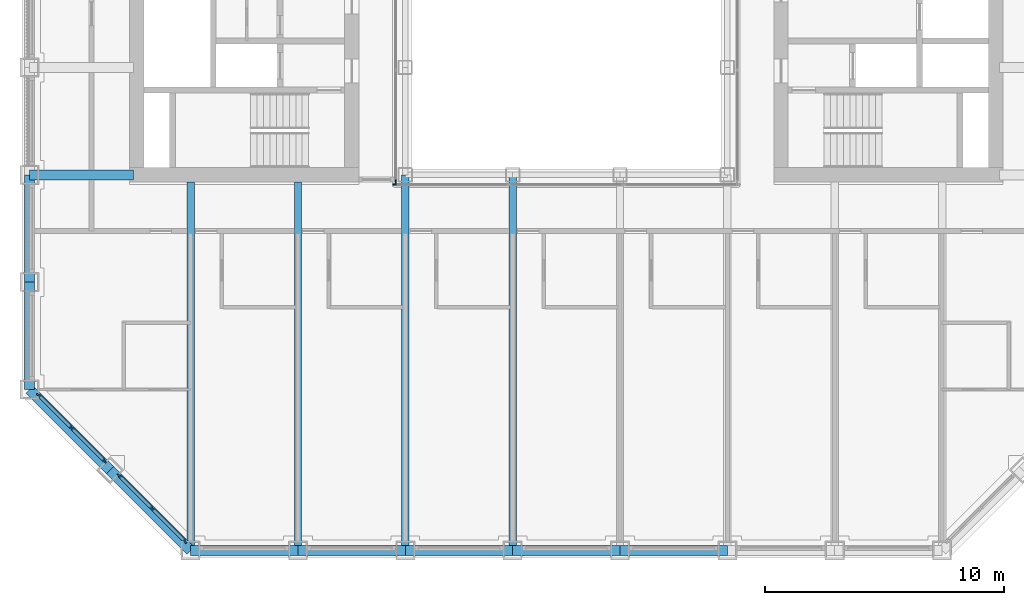
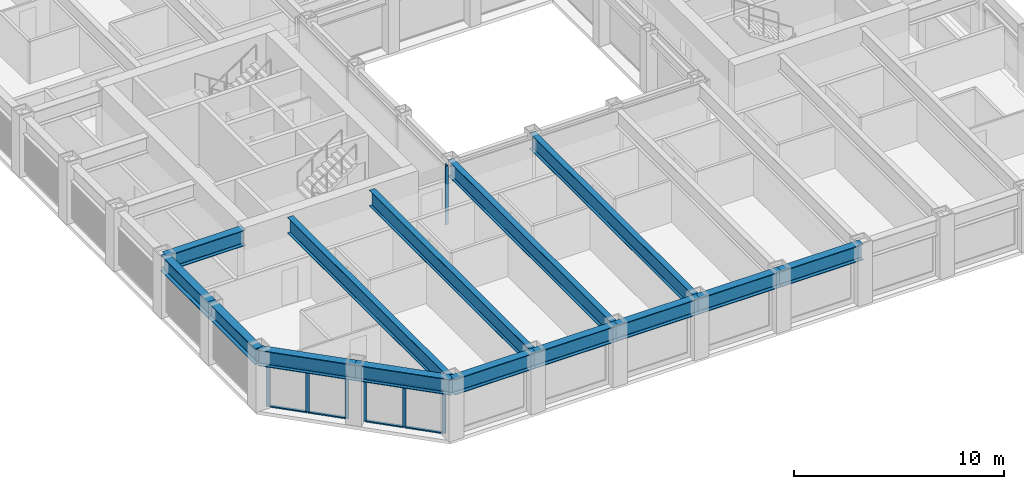
# One storey, part 2 of 18: 16 members, 14 beams, 4 elements without a shape of their own.
"""IFC4 building model written with IfcOpenShell, lengths in metres."""

from ifc_helpers import new_model, si_unit, direction, frame, origin, origin_2d, place, context, subcontext, project, spatial, rectangle, i_section, extrude, material, material_profile, profile_set, type_object, element, aggregate, save


model = new_model("IFC4")

# Units and contexts
model_context = context("Model", 3, precision=1e-05, world=origin(), true_north=direction((0.0, 1.0)))
body_context = subcontext(model_context, "Body", "Model", "MODEL_VIEW")
ifc_project = project(units=[si_unit("LENGTHUNIT", "METRE"), si_unit("AREAUNIT", "SQUARE_METRE"), si_unit("VOLUMEUNIT", "CUBIC_METRE"), si_unit("PLANEANGLEUNIT", "RADIAN"), si_unit("MASSUNIT", "GRAM", prefix="KILO")], contexts=[model_context])

# Site, building, storey
site_placement = place(None, origin())
site = spatial("IfcSite", under=ifc_project, at=site_placement, CompositionType="ELEMENT")
building_placement = place(site_placement, origin())
building = spatial("IfcBuilding", under=site, at=building_placement, Name="Msasa Ring Tower", CompositionType="ELEMENT")
storey_placement = place(building_placement, frame((0.0, 0.0, 118.39990234375)))
storey = spatial("IfcBuildingStorey", under=building, at=storey_placement, Name="L30", CompositionType="ELEMENT", Elevation=118.39990234375)

# Curtain wall, members
ifc_material_1 = material(Name="Aluminium curtain wall with clear glass", Category="aluminium")
curtain_wall_type_1 = type_object("IfcCurtainWallType", Name="CW-C CHAMFER CORNER CURTAIN WALL", PredefinedType="NOTDEFINED", material=ifc_material_1)
curtain_wall_1_placement = place(storey_placement, origin())
curtain_wall_1 = element("IfcCurtainWall", 1, at=curtain_wall_1_placement, inside=storey, type_object=curtain_wall_type_1, Name="Chamfer corner curtain wall SW L30", PredefinedType="NOTDEFINED")
ifc_material_2 = material(Name="Aluminium mullion", Category="aluminium")
ifc_material_profile_1 = material_profile(ifc_material_2, rectangle(XDim=0.06494140625, YDim=0.179931640625, at=origin_2d()), Name="AL 65x180")
ifc_profile_set_1 = profile_set([ifc_material_profile_1], Name="Aluminium mullion")
member_type_1 = type_object("IfcMemberType", Name="CW-C MULLION 65x180", PredefinedType="MULLION", material=ifc_profile_set_1)
member_1_placement = place(storey_placement, frame((-22.119873046875, -15.98876953125, 0.0), z_axis=(0.0, 0.0, 1.0), x_axis=(0.707106781187, 0.707106781187, 0.0)))
member_1 = element("IfcMember", 2, at=member_1_placement, type_object=member_type_1, Name="CW-C mullion 1", PredefinedType="MULLION", context=body_context, shape_type="SweptSolid", body=[
    extrude(rectangle(XDim=0.06494140625, YDim=0.179931640625, at=origin_2d()), origin(), (0.0, 0.0, 1.0), 2.47900390625),
])
member_2_placement = place(storey_placement, frame((-20.74169921875, -17.36669921875, 0.0), z_axis=(0.0, 0.0, 1.0), x_axis=(0.707106781187, 0.707106781187, 0.0)))
member_2 = element("IfcMember", 3, at=member_2_placement, type_object=member_type_1, Name="CW-C mullion 2", PredefinedType="MULLION", context=body_context, shape_type="SweptSolid", body=[
    extrude(rectangle(XDim=0.06494140625, YDim=0.179931640625, at=origin_2d()), origin(), (0.0, 0.0, 1.0), 2.47900390625),
])
member_3_placement = place(storey_placement, frame((-19.36376953125, -18.744873046875, 0.0), z_axis=(0.0, 0.0, 1.0), x_axis=(0.707106781187, 0.707106781187, 0.0)))
member_3 = element("IfcMember", 4, at=member_3_placement, type_object=member_type_1, Name="CW-C mullion 3", PredefinedType="MULLION", context=body_context, shape_type="SweptSolid", body=[
    extrude(rectangle(XDim=0.06494140625, YDim=0.179931640625, at=origin_2d()), origin(), (0.0, 0.0, 1.0), 2.47900390625),
])

curtain_wall_2_placement = place(storey_placement, origin())
curtain_wall_2 = element("IfcCurtainWall", 5, at=curtain_wall_2_placement, inside=storey, type_object=curtain_wall_type_1, Name="Chamfer corner curtain wall SW L30", PredefinedType="NOTDEFINED")
member_4_placement = place(storey_placement, frame((-18.744873046875, -19.36376953125, 0.0), z_axis=(0.0, 0.0, 1.0), x_axis=(0.707106781187, 0.707106781187, 0.0)))
member_4 = element("IfcMember", 6, at=member_4_placement, type_object=member_type_1, Name="CW-C mullion 1", PredefinedType="MULLION", context=body_context, shape_type="SweptSolid", body=[
    extrude(rectangle(XDim=0.06494140625, YDim=0.179931640625, at=origin_2d()), origin(), (0.0, 0.0, 1.0), 2.47900390625),
])
member_5_placement = place(storey_placement, frame((-17.36669921875, -20.74169921875, 0.0), z_axis=(0.0, 0.0, 1.0), x_axis=(0.707106781187, 0.707106781187, 0.0)))
member_5 = element("IfcMember", 7, at=member_5_placement, type_object=member_type_1, Name="CW-C mullion 2", PredefinedType="MULLION", context=body_context, shape_type="SweptSolid", body=[
    extrude(rectangle(XDim=0.06494140625, YDim=0.179931640625, at=origin_2d()), origin(), (0.0, 0.0, 1.0), 2.47900390625),
])
member_6_placement = place(storey_placement, frame((-15.98876953125, -22.119873046875, 0.0), z_axis=(0.0, 0.0, 1.0), x_axis=(0.707106781187, 0.707106781187, 0.0)))
member_6 = element("IfcMember", 8, at=member_6_placement, type_object=member_type_1, Name="CW-C mullion 3", PredefinedType="MULLION", context=body_context, shape_type="SweptSolid", body=[
    extrude(rectangle(XDim=0.06494140625, YDim=0.179931640625, at=origin_2d()), origin(), (0.0, 0.0, 1.0), 2.47900390625),
])

# Member
ifc_material_3 = material(Name="Aluminium transom", Category="aluminium")
ifc_material_profile_2 = material_profile(ifc_material_3, rectangle(XDim=0.139892578125, YDim=0.06494140625, at=origin_2d()), Name="AL 65x140")
ifc_profile_set_2 = profile_set([ifc_material_profile_2], Name="Aluminium transom")
member_type_2 = type_object("IfcMemberType", Name="CW-C TRANSOM 65x140", PredefinedType="USERDEFINED", material=ifc_profile_set_2)
member_7_placement = place(storey_placement, frame((-22.096923828125, -16.01171875, 0.03271484375), z_axis=(0.707106781187, -0.707106781187, 0.0), x_axis=(0.707106781187, 0.707106781187, 0.0)))
member_7 = element("IfcMember", 9, at=member_7_placement, type_object=member_type_2, Name="CW-C transom 1.1", ObjectType="TRANSOM", PredefinedType="USERDEFINED", context=body_context, shape_type="SweptSolid", body=[
    extrude(rectangle(XDim=0.139892578125, YDim=0.06494140625, at=origin_2d()), origin(), (0.0, 0.0, 1.0), 1.8837890625),
])

member_8_placement = place(storey_placement, frame((-22.096923828125, -16.01171875, 2.446533203125), z_axis=(0.707106781187, -0.707106781187, 0.0), x_axis=(0.707106781187, 0.707106781187, 0.0)))
member_8 = element("IfcMember", 10, at=member_8_placement, type_object=member_type_2, Name="CW-C transom 1.2", ObjectType="TRANSOM", PredefinedType="USERDEFINED", context=body_context, shape_type="SweptSolid", body=[
    extrude(rectangle(XDim=0.139892578125, YDim=0.06494140625, at=origin_2d()), origin(), (0.0, 0.0, 1.0), 1.8837890625),
])

member_9_placement = place(storey_placement, frame((-20.71875, -17.389892578125, 0.03271484375), z_axis=(0.707106781187, -0.707106781187, 0.0), x_axis=(0.707106781187, 0.707106781187, 0.0)))
member_9 = element("IfcMember", 11, at=member_9_placement, type_object=member_type_2, Name="CW-C transom 2.1", ObjectType="TRANSOM", PredefinedType="USERDEFINED", context=body_context, shape_type="SweptSolid", body=[
    extrude(rectangle(XDim=0.139892578125, YDim=0.06494140625, at=origin_2d()), origin(), (0.0, 0.0, 1.0), 1.8837890625),
])

member_10_placement = place(storey_placement, frame((-20.71875, -17.389892578125, 2.446533203125), z_axis=(0.707106781187, -0.707106781187, 0.0), x_axis=(0.707106781187, 0.707106781187, 0.0)))
member_10 = element("IfcMember", 12, at=member_10_placement, type_object=member_type_2, Name="CW-C transom 2.2", ObjectType="TRANSOM", PredefinedType="USERDEFINED", context=body_context, shape_type="SweptSolid", body=[
    extrude(rectangle(XDim=0.139892578125, YDim=0.06494140625, at=origin_2d()), origin(), (0.0, 0.0, 1.0), 1.8837890625),
])

aggregate(curtain_wall_1, [member_1, member_2, member_3, member_7, member_8, member_9, member_10])

member_11_placement = place(storey_placement, frame((-18.721923828125, -19.38671875, 0.03271484375), z_axis=(0.707106781187, -0.707106781187, 0.0), x_axis=(0.707106781187, 0.707106781187, 0.0)))
member_11 = element("IfcMember", 13, at=member_11_placement, type_object=member_type_2, Name="CW-C transom 1.1", ObjectType="TRANSOM", PredefinedType="USERDEFINED", context=body_context, shape_type="SweptSolid", body=[
    extrude(rectangle(XDim=0.139892578125, YDim=0.06494140625, at=origin_2d()), origin(), (0.0, 0.0, 1.0), 1.8837890625),
])

member_12_placement = place(storey_placement, frame((-18.721923828125, -19.38671875, 2.446533203125), z_axis=(0.707106781187, -0.707106781187, 0.0), x_axis=(0.707106781187, 0.707106781187, 0.0)))
member_12 = element("IfcMember", 14, at=member_12_placement, type_object=member_type_2, Name="CW-C transom 1.2", ObjectType="TRANSOM", PredefinedType="USERDEFINED", context=body_context, shape_type="SweptSolid", body=[
    extrude(rectangle(XDim=0.139892578125, YDim=0.06494140625, at=origin_2d()), origin(), (0.0, 0.0, 1.0), 1.8837890625),
])

member_13_placement = place(storey_placement, frame((-17.34375, -20.764892578125, 0.03271484375), z_axis=(0.707106781187, -0.707106781187, 0.0), x_axis=(0.707106781187, 0.707106781187, 0.0)))
member_13 = element("IfcMember", 15, at=member_13_placement, type_object=member_type_2, Name="CW-C transom 2.1", ObjectType="TRANSOM", PredefinedType="USERDEFINED", context=body_context, shape_type="SweptSolid", body=[
    extrude(rectangle(XDim=0.139892578125, YDim=0.06494140625, at=origin_2d()), origin(), (0.0, 0.0, 1.0), 1.8837890625),
])

member_14_placement = place(storey_placement, frame((-17.34375, -20.764892578125, 2.446533203125), z_axis=(0.707106781187, -0.707106781187, 0.0), x_axis=(0.707106781187, 0.707106781187, 0.0)))
member_14 = element("IfcMember", 16, at=member_14_placement, type_object=member_type_2, Name="CW-C transom 2.2", ObjectType="TRANSOM", PredefinedType="USERDEFINED", context=body_context, shape_type="SweptSolid", body=[
    extrude(rectangle(XDim=0.139892578125, YDim=0.06494140625, at=origin_2d()), origin(), (0.0, 0.0, 1.0), 1.8837890625),
])

aggregate(curtain_wall_2, [member_4, member_5, member_6, member_11, member_12, member_13, member_14])

# Curtain wall, member
ifc_material_4 = material(Name="Aluminium curtain wall with clear glass", Category="aluminium")
curtain_wall_type_2 = type_object("IfcCurtainWallType", Name="CW-W LIGHT WELL CURTAIN WALL", PredefinedType="NOTDEFINED", material=ifc_material_4)
curtain_wall_3_placement = place(storey_placement, origin())
curtain_wall_3 = element("IfcCurtainWall", 17, at=curtain_wall_3_placement, inside=storey, type_object=curtain_wall_type_2, Name="Light well curtain wall S L30", PredefinedType="NOTDEFINED")
ifc_material_5 = material(Name="Aluminium mullion", Category="aluminium")
ifc_material_profile_3 = material_profile(ifc_material_5, rectangle(XDim=0.06005859375, YDim=0.159912109375, at=origin_2d()), Name="AL 60x160")
ifc_profile_set_3 = profile_set([ifc_material_profile_3], Name="Aluminium mullion")
member_type_3 = type_object("IfcMemberType", Name="CW-W MULLION 60x160", PredefinedType="MULLION", material=ifc_profile_set_3)
member_15_placement = place(storey_placement, frame((-7.199951171875, -7.14990234375, 0.0), z_axis=(0.0, 0.0, 1.0), x_axis=(0.0, 1.0, 0.0)))
member_15 = element("IfcMember", 18, at=member_15_placement, type_object=member_type_3, Name="CW-W mullion 1", PredefinedType="MULLION", context=body_context, shape_type="SweptSolid", body=[
    extrude(rectangle(XDim=0.06005859375, YDim=0.159912109375, at=origin_2d()), origin(), (0.0, 0.0, 1.0), 3.400146484375),
])
aggregate(curtain_wall_3, [member_15])

curtain_wall_4_placement = place(storey_placement, origin())
curtain_wall_4 = element("IfcCurtainWall", 19, at=curtain_wall_4_placement, inside=storey, type_object=curtain_wall_type_2, Name="Light well curtain wall W L30", PredefinedType="NOTDEFINED")
member_16_placement = place(storey_placement, frame((-7.14990234375, -7.0400390625, 0.0), z_axis=(0.0, 0.0, 1.0), x_axis=(-1.0, 0.0, 0.0)))
member_16 = element("IfcMember", 20, at=member_16_placement, type_object=member_type_3, Name="CW-W mullion 1", PredefinedType="MULLION", context=body_context, shape_type="SweptSolid", body=[
    extrude(rectangle(XDim=0.06005859375, YDim=0.159912109375, at=origin_2d()), origin(), (0.0, 0.0, 1.0), 3.400146484375),
])
aggregate(curtain_wall_4, [member_16])

# Beams
ifc_material_6 = material(Name="Steel S355", Category="steel")
ifc_material_profile_4 = material_profile(ifc_material_6, i_section(OverallWidth=0.3076171875, OverallDepth=0.926513671875, WebThickness=0.01953125, FlangeThickness=0.031982421875, FilletRadius=0.01904296875, at=origin_2d()), Name="UB 914x305x289")
ifc_profile_set_4 = profile_set([ifc_material_profile_4], Name="Steel S355")
beam_type_1 = type_object("IfcBeamType", Name="FB3 UB 914x305x289", PredefinedType="BEAM", material=ifc_profile_set_4)
for number, where, z_axis, x_axis, name in (
    (21, (-15.75, -22.5, 2.936767578125), (0.0, 1.0, 0.0), (-1.0, 0.0, 0.0), "Floor beam S-15.75 under L31"),
    (22, (-11.25, -22.5, 2.936767578125), (0.0, 1.0, 0.0), (-1.0, 0.0, 0.0), "Floor beam S-11.25 under L31"),
):
    element("IfcBeam", number, at=place(storey_placement, frame(where, z_axis=z_axis, x_axis=x_axis)), inside=storey, type_object=beam_type_1, Name=name, PredefinedType="BEAM", context=body_context, shape_type="SweptSolid", body=[
        extrude(i_section(OverallWidth=0.3076171875, OverallDepth=0.926513671875, WebThickness=0.01953125, FlangeThickness=0.031982421875, FilletRadius=0.01904296875, at=origin_2d()), origin(), (0.0, 0.0, 1.0), 15.449951171875),
    ])
for number, where, z_axis, x_axis, name in (
    (23, (-6.75, -22.5, 2.936767578125), (0.0, 1.0, 0.0), (-1.0, 0.0, 0.0), "Floor beam S-6.75 under L31"),
    (24, (-2.25, -22.5, 2.936767578125), (0.0, 1.0, 0.0), (-1.0, 0.0, 0.0), "Floor beam S-2.25 under L31"),
):
    element("IfcBeam", number, at=place(storey_placement, frame(where, z_axis=z_axis, x_axis=x_axis)), inside=storey, type_object=beam_type_1, Name=name, PredefinedType="BEAM", context=body_context, shape_type="SweptSolid", body=[
        extrude(i_section(OverallWidth=0.3076171875, OverallDepth=0.926513671875, WebThickness=0.01953125, FlangeThickness=0.031982421875, FilletRadius=0.01904296875, at=origin_2d()), origin(), (0.0, 0.0, 1.0), 15.75),
    ])
ifc_material_7 = material(Name="Steel S355", Category="steel")
ifc_material_profile_5 = material_profile(ifc_material_7, i_section(OverallWidth=0.42041015625, OverallDepth=0.9208984375, WebThickness=0.021484375, FlangeThickness=0.03662109375, FilletRadius=0.024169921875, at=origin_2d()), Name="UB 914x419x388")
ifc_profile_set_5 = profile_set([ifc_material_profile_5], Name="Steel S355")
beam_type_2 = type_object("IfcBeamType", Name="GB1 UB 914x419x388", PredefinedType="BEAM", material=ifc_profile_set_5)
beam_placement = place(storey_placement, frame((-18.14990234375, -6.75, 2.939697265625), z_axis=(-1.0, 0.0, 0.0), x_axis=(0.0, -1.0, 0.0)))
element("IfcBeam", 25, at=beam_placement, inside=storey, type_object=beam_type_2, Name="Girder W -6.75 under L31", PredefinedType="BEAM", context=body_context, shape_type="SweptSolid", body=[
    extrude(i_section(OverallWidth=0.42041015625, OverallDepth=0.9208984375, WebThickness=0.021484375, FlangeThickness=0.03662109375, FilletRadius=0.024169921875, at=origin_2d()), origin(), (0.0, 0.0, 1.0), 4.35009765625),
])
ifc_material_8 = material(Name="Steel S355", Category="steel")
ifc_material_profile_6 = material_profile(ifc_material_8, i_section(OverallWidth=0.42041015625, OverallDepth=0.9208984375, WebThickness=0.021484375, FlangeThickness=0.03662109375, FilletRadius=0.024169921875, at=origin_2d()), Name="UB 914x419x388")
ifc_profile_set_6 = profile_set([ifc_material_profile_6], Name="Steel S355")
beam_type_3 = type_object("IfcBeamType", Name="SB1 UB 914x419x388", PredefinedType="SPANDREL", material=ifc_profile_set_6)
for number, where, z_axis, x_axis, name in (
    (26, (-22.5, -6.75, 2.939697265625), (0.0, -1.0, 0.0), (1.0, 0.0, 0.0), "Spandrel W-6.75 to W-11.25 under L31"),
    (27, (-22.5, -11.25, 2.939697265625), (0.0, -1.0, 0.0), (1.0, 0.0, 0.0), "Spandrel W-11.25 to W-15.75 under L31"),
):
    element("IfcBeam", number, at=place(storey_placement, frame(where, z_axis=z_axis, x_axis=x_axis)), inside=storey, type_object=beam_type_3, Name=name, PredefinedType="SPANDREL", context=body_context, shape_type="SweptSolid", body=[
        extrude(i_section(OverallWidth=0.42041015625, OverallDepth=0.9208984375, WebThickness=0.021484375, FlangeThickness=0.03662109375, FilletRadius=0.024169921875, at=origin_2d()), origin(), (0.0, 0.0, 1.0), 4.5),
    ])
for number, where, z_axis, x_axis, name in (
    (28, (-22.5, -15.75, 2.939697265625), (0.707106781187, -0.707106781187, 0.0), (0.707106781187, 0.707106781187, 0.0), "Spandrel W-15.75 to SW under L31"),
    (29, (-19.125, -19.125, 2.939697265625), (0.707106781187, -0.707106781187, 0.0), (0.707106781187, 0.707106781187, 0.0), "Spandrel SW to S-15.75 under L31"),
):
    element("IfcBeam", number, at=place(storey_placement, frame(where, z_axis=z_axis, x_axis=x_axis)), inside=storey, type_object=beam_type_3, Name=name, PredefinedType="SPANDREL", context=body_context, shape_type="SweptSolid", body=[
        extrude(i_section(OverallWidth=0.42041015625, OverallDepth=0.9208984375, WebThickness=0.021484375, FlangeThickness=0.03662109375, FilletRadius=0.024169921875, at=origin_2d()), origin(), (0.0, 0.0, 1.0), 4.77294921875),
    ])
for number, where, z_axis, x_axis, name in (
    (30, (-15.75, -22.5, 2.939697265625), (1.0, 0.0, 0.0), (0.0, 1.0, 0.0), "Spandrel S-15.75 to S-11.25 under L31"),
    (31, (-11.25, -22.5, 2.939697265625), (1.0, 0.0, 0.0), (0.0, 1.0, 0.0), "Spandrel S-11.25 to S-6.75 under L31"),
    (32, (-6.75, -22.5, 2.939697265625), (1.0, 0.0, 0.0), (0.0, 1.0, 0.0), "Spandrel S-6.75 to S-2.25 under L31"),
    (33, (-2.25, -22.5, 2.939697265625), (1.0, 0.0, 0.0), (0.0, 1.0, 0.0), "Spandrel S-2.25 to S+2.25 under L31"),
    (34, (2.25, -22.5, 2.939697265625), (1.0, 0.0, 0.0), (0.0, 1.0, 0.0), "Spandrel S+2.25 to S+6.75 under L31"),
):
    element("IfcBeam", number, at=place(storey_placement, frame(where, z_axis=z_axis, x_axis=x_axis)), inside=storey, type_object=beam_type_3, Name=name, PredefinedType="SPANDREL", context=body_context, shape_type="SweptSolid", body=[
        extrude(i_section(OverallWidth=0.42041015625, OverallDepth=0.9208984375, WebThickness=0.021484375, FlangeThickness=0.03662109375, FilletRadius=0.024169921875, at=origin_2d()), origin(), (0.0, 0.0, 1.0), 4.5),
    ])

save(model, "model.ifc")
